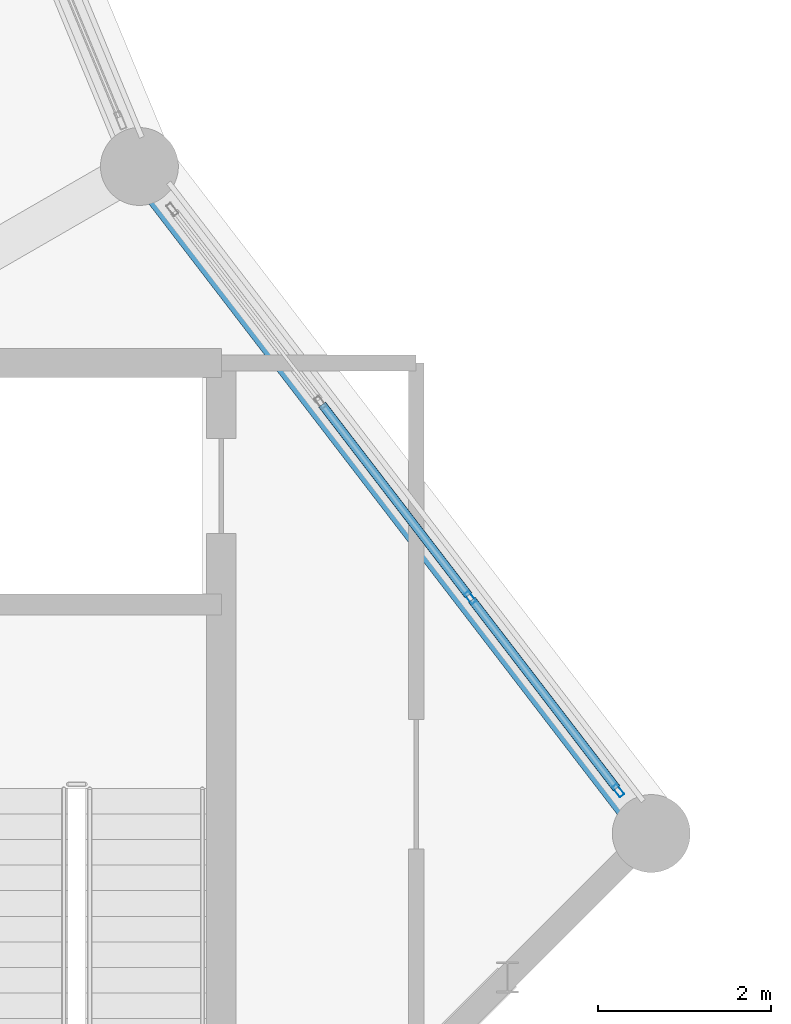
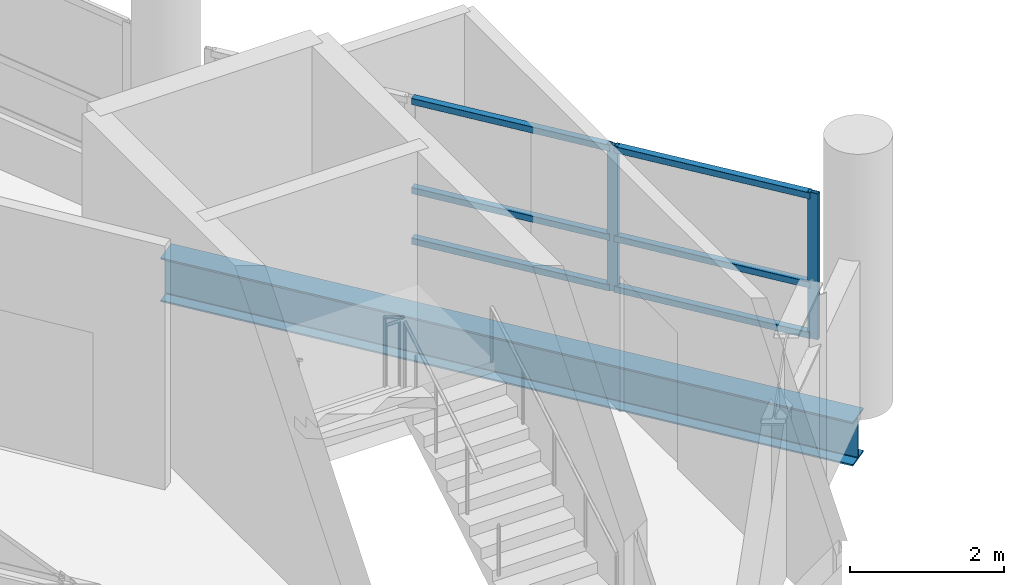
# One storey, part 31 of 128: 8 members, 1 beam, 1 element without a shape of its own.
"""IFC4 building model written with IfcOpenShell, lengths in metres."""

from ifc_helpers import new_model, si_unit, direction, frame, origin, origin_2d, place, context, subcontext, project, spatial, hollow_rectangle, i_section, extrude, material, layer, layer_set, material_profile, profile_set, type_object, element, aggregate, save


model = new_model("IFC4")

# Units and contexts
model_context = context("Model", 3, precision=1e-05, world=origin(), true_north=direction((0.0, 1.0)))
body_context = subcontext(model_context, "Body", "Model", "MODEL_VIEW")
ifc_project = project(units=[si_unit("LENGTHUNIT", "METRE"), si_unit("AREAUNIT", "SQUARE_METRE"), si_unit("VOLUMEUNIT", "CUBIC_METRE"), si_unit("PLANEANGLEUNIT", "RADIAN"), si_unit("MASSUNIT", "GRAM", prefix="KILO")], contexts=[model_context])

# Site, building, storey
site_placement = place(None, origin())
site = spatial("IfcSite", under=ifc_project, at=site_placement, CompositionType="ELEMENT")
building_placement = place(site_placement, origin())
building = spatial("IfcBuilding", under=site, at=building_placement, Name="Vespera Passage Community Centre", CompositionType="ELEMENT")
storey_placement = place(building_placement, frame((0.0, 0.0, 4.5)))
storey = spatial("IfcBuildingStorey", under=building, at=storey_placement, Name="L01", CompositionType="ELEMENT", Elevation=4.5)

# Beam
ifc_material_1 = material(Name="Steel ASTM A992 Grade 50", Category="steel")
ifc_material_profile_1 = material_profile(ifc_material_1, i_section(OverallWidth=0.3544921875, OverallDepth=0.695556640625, WebThickness=0.015380859375, FlangeThickness=0.024658203125, FilletRadius=0.01513671875, at=origin_2d()), Name="W27X146")
ifc_profile_set_1 = profile_set([ifc_material_profile_1], Name="Steel ASTM A992 Grade 50")
beam_type = type_object("IfcBeamType", Name="BM-SP-W27X146E", PredefinedType="SPANDREL", material=ifc_profile_set_1)
beam_placement = place(storey_placement, frame((45.783935546875, 46.89990234375, -0.587890625), z_axis=(0.60875291963, -0.793359869694, 0.0), x_axis=(0.793359869694, 0.60875291963, 0.0)))
element("IfcBeam", 1, at=beam_placement, inside=storey, type_object=beam_type, Name="V4 L01 Inner Spandrel 14", PredefinedType="SPANDREL", context=body_context, shape_type="SweptSolid", body=[
    extrude(i_section(OverallWidth=0.3544921875, OverallDepth=0.695556640625, WebThickness=0.015380859375, FlangeThickness=0.024658203125, FilletRadius=0.01513671875, at=origin_2d()), origin(), (0.0, 0.0, 1.0), 9.7109375),
])

# Curtain wall, members
ifc_material_2 = material(Name="Anodized aluminium 6063-T6", Category="aluminium")
ifc_layer = layer(ifc_material_2, 0.159912109375)
ifc_layer_set = layer_set([ifc_layer], Name="Anodized aluminium 6063-T6")
curtain_wall_type = type_object("IfcCurtainWallType", Name="CW-17E", PredefinedType="NOTDEFINED", material=ifc_layer_set)
curtain_wall_placement = place(storey_placement, origin())
curtain_wall = element("IfcCurtainWall", 2, at=curtain_wall_placement, inside=storey, type_object=curtain_wall_type, Name="V4 L01 Inner Court Curtain Wall 14", PredefinedType="NOTDEFINED")
ifc_material_3 = material(Name="Anodized aluminium 6063-T6", Category="aluminium")
ifc_material_profile_2 = material_profile(ifc_material_3, hollow_rectangle(XDim=0.06494140625, YDim=0.14990234375, WallThickness=0.00390625, InnerFilletRadius=0.001953125, OuterFilletRadius=0.00390625, at=origin_2d()), Name="ALU150X65X4")
ifc_profile_set_2 = profile_set([ifc_material_profile_2], Name="Anodized aluminium 6063-T6")
member_type_1 = type_object("IfcMemberType", Name="MB-CWM-150E", PredefinedType="MULLION", material=ifc_profile_set_2)
member_1_placement = place(storey_placement, frame((49.604736328125, 41.920654296875, 0.820068359375), z_axis=(0.0, 0.0, 1.0), x_axis=(0.793358205999, 0.608755087843, 0.0)))
member_1 = element("IfcMember", 3, at=member_1_placement, type_object=member_type_1, Name="CW-17E mullion 3", PredefinedType="MULLION", context=body_context, shape_type="SweptSolid", body=[
    extrude(hollow_rectangle(XDim=0.06494140625, YDim=0.14990234375, WallThickness=0.00390625, InnerFilletRadius=0.001953125, OuterFilletRadius=0.00390625, at=origin_2d()), origin(), (0.0, 0.0, 1.0), 2.309326171875),
])
member_2_placement = place(storey_placement, frame((51.314697265625, 39.69189453125, 0.820068359375), z_axis=(0.0, 0.0, 1.0), x_axis=(0.793358205999, 0.608755087843, 0.0)))
member_2 = element("IfcMember", 4, at=member_2_placement, type_object=member_type_1, Name="CW-17E mullion 4", PredefinedType="MULLION", context=body_context, shape_type="SweptSolid", body=[
    extrude(hollow_rectangle(XDim=0.06494140625, YDim=0.14990234375, WallThickness=0.00390625, InnerFilletRadius=0.001953125, OuterFilletRadius=0.00390625, at=origin_2d()), origin(), (0.0, 0.0, 1.0), 2.309326171875),
])
ifc_material_4 = material(Name="Anodized aluminium 6063-T6", Category="aluminium")
ifc_material_profile_3 = material_profile(ifc_material_4, hollow_rectangle(XDim=0.10009765625, YDim=0.10009765625, WallThickness=0.00390625, InnerFilletRadius=0.001953125, OuterFilletRadius=0.00390625, at=origin_2d()), Name="ALU100X100X4")
ifc_profile_set_3 = profile_set([ifc_material_profile_3], Name="Anodized aluminium 6063-T6")
member_type_2 = type_object("IfcMemberType", Name="MB-CWT-100E", PredefinedType="USERDEFINED", material=ifc_profile_set_3)
member_3_placement = place(storey_placement, frame((47.89453125, 44.149169921875, 0.8701171875), z_axis=(0.60878404001, -0.793335989748, 0.0), x_axis=(0.793335989748, 0.60878404001, 0.0)))
member_3 = element("IfcMember", 5, at=member_3_placement, type_object=member_type_2, Name="CW-17E transom 2.1", ObjectType="TRANSOM", PredefinedType="USERDEFINED", context=body_context, shape_type="SweptSolid", body=[
    extrude(hollow_rectangle(XDim=0.10009765625, YDim=0.10009765625, WallThickness=0.00390625, InnerFilletRadius=0.001953125, OuterFilletRadius=0.00390625, at=origin_2d()), origin(), (0.0, 0.0, 1.0), 2.776611328125),
])
member_4_placement = place(storey_placement, frame((47.89453125, 44.149169921875, 1.669921875), z_axis=(0.60878404001, -0.793335989748, 0.0), x_axis=(0.793335989748, 0.60878404001, 0.0)))
member_4 = element("IfcMember", 6, at=member_4_placement, type_object=member_type_2, Name="CW-17E transom 2.2", ObjectType="TRANSOM", PredefinedType="USERDEFINED", context=body_context, shape_type="SweptSolid", body=[
    extrude(hollow_rectangle(XDim=0.10009765625, YDim=0.10009765625, WallThickness=0.00390625, InnerFilletRadius=0.001953125, OuterFilletRadius=0.00390625, at=origin_2d()), origin(), (0.0, 0.0, 1.0), 2.776611328125),
])
member_5_placement = place(storey_placement, frame((47.89453125, 44.149169921875, 3.07958984375), z_axis=(0.60878404001, -0.793335989748, 0.0), x_axis=(0.793335989748, 0.60878404001, 0.0)))
member_5 = element("IfcMember", 7, at=member_5_placement, type_object=member_type_2, Name="CW-17E transom 2.3", ObjectType="TRANSOM", PredefinedType="USERDEFINED", context=body_context, shape_type="SweptSolid", body=[
    extrude(hollow_rectangle(XDim=0.10009765625, YDim=0.10009765625, WallThickness=0.00390625, InnerFilletRadius=0.001953125, OuterFilletRadius=0.00390625, at=origin_2d()), origin(), (0.0, 0.0, 1.0), 2.776611328125),
])
member_6_placement = place(storey_placement, frame((49.62451171875, 41.894775390625, 0.8701171875), z_axis=(0.608747162837, -0.793364286906, 0.0), x_axis=(0.793364286906, 0.608747162837, 0.0)))
member_6 = element("IfcMember", 8, at=member_6_placement, type_object=member_type_2, Name="CW-17E transom 3.1", ObjectType="TRANSOM", PredefinedType="USERDEFINED", context=body_context, shape_type="SweptSolid", body=[
    extrude(hollow_rectangle(XDim=0.10009765625, YDim=0.10009765625, WallThickness=0.00390625, InnerFilletRadius=0.001953125, OuterFilletRadius=0.00390625, at=origin_2d()), origin(), (0.0, 0.0, 1.0), 2.743896484375),
])
member_7_placement = place(storey_placement, frame((49.62451171875, 41.894775390625, 1.669921875), z_axis=(0.608747162837, -0.793364286906, 0.0), x_axis=(0.793364286906, 0.608747162837, 0.0)))
member_7 = element("IfcMember", 9, at=member_7_placement, type_object=member_type_2, Name="CW-17E transom 3.2", ObjectType="TRANSOM", PredefinedType="USERDEFINED", context=body_context, shape_type="SweptSolid", body=[
    extrude(hollow_rectangle(XDim=0.10009765625, YDim=0.10009765625, WallThickness=0.00390625, InnerFilletRadius=0.001953125, OuterFilletRadius=0.00390625, at=origin_2d()), origin(), (0.0, 0.0, 1.0), 2.743896484375),
])
member_8_placement = place(storey_placement, frame((49.62451171875, 41.894775390625, 3.07958984375), z_axis=(0.608747162837, -0.793364286906, 0.0), x_axis=(0.793364286906, 0.608747162837, 0.0)))
member_8 = element("IfcMember", 10, at=member_8_placement, type_object=member_type_2, Name="CW-17E transom 3.3", ObjectType="TRANSOM", PredefinedType="USERDEFINED", context=body_context, shape_type="SweptSolid", body=[
    extrude(hollow_rectangle(XDim=0.10009765625, YDim=0.10009765625, WallThickness=0.00390625, InnerFilletRadius=0.001953125, OuterFilletRadius=0.00390625, at=origin_2d()), origin(), (0.0, 0.0, 1.0), 2.743896484375),
])
aggregate(curtain_wall, [member_1, member_2, member_3, member_4, member_5, member_6, member_7, member_8])

save(model, "model.ifc")
